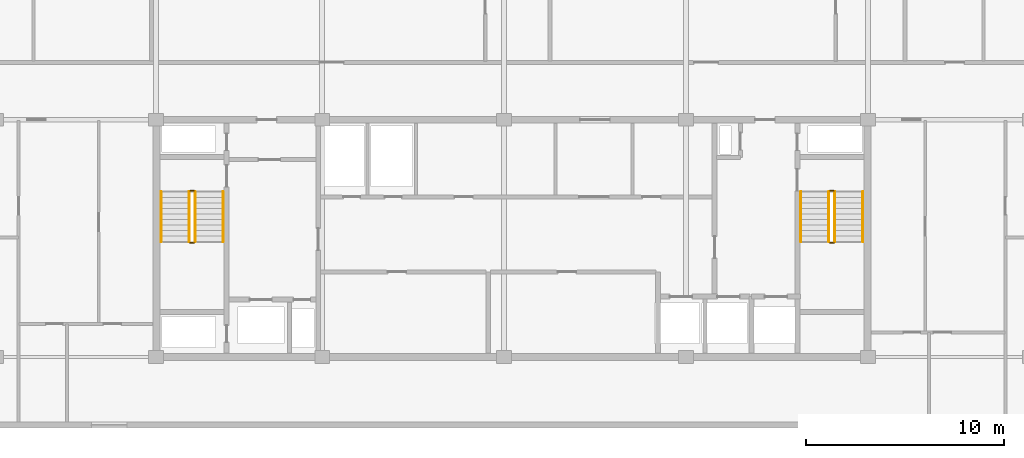
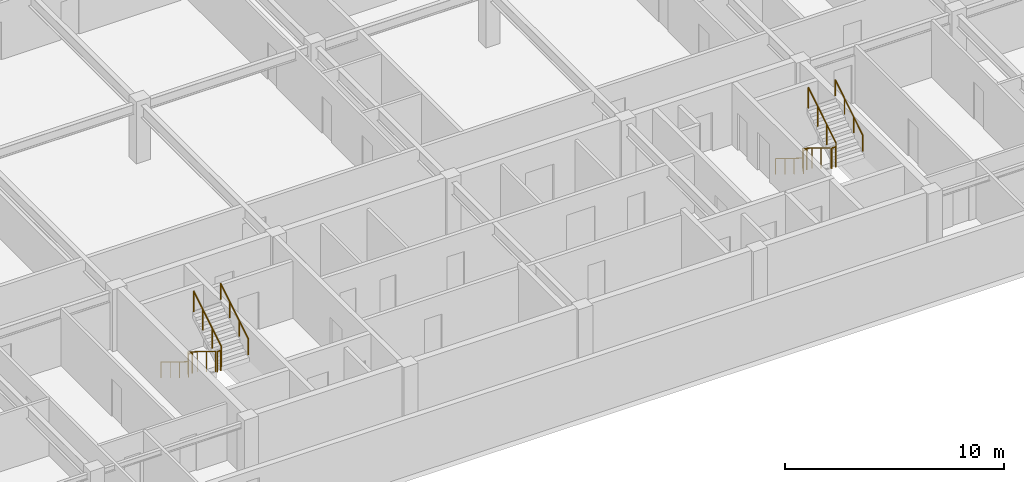
# One storey, part 9 of 10: 12 railings.
"""IFC4 building model written with IfcOpenShell, lengths in metres."""

from ifc_helpers import new_model, si_unit, direction, frame, origin, origin_2d, place, context, subcontext, project, spatial, circle, extrude, material, type_object, element, save


model = new_model("IFC4")

# Units and contexts
model_context = context("Model", 3, precision=1e-05, world=origin(), true_north=direction((0.0, 1.0)))
body_context = subcontext(model_context, "Body", "Model", "MODEL_VIEW")
ifc_project = project(units=[si_unit("LENGTHUNIT", "METRE"), si_unit("AREAUNIT", "SQUARE_METRE"), si_unit("VOLUMEUNIT", "CUBIC_METRE"), si_unit("PLANEANGLEUNIT", "RADIAN"), si_unit("MASSUNIT", "GRAM", prefix="KILO")], contexts=[model_context])

# Site, building, storey
site_placement = place(None, origin())
site = spatial("IfcSite", under=ifc_project, at=site_placement, CompositionType="ELEMENT")
building_placement = place(site_placement, origin())
building = spatial("IfcBuilding", under=site, at=building_placement, Name="Korimba Cascade Residences", CompositionType="ELEMENT")
storey_placement = place(building_placement, frame((0.0, 0.0, 239.0)))
storey = spatial("IfcBuildingStorey", under=building, at=storey_placement, Name="L69", CompositionType="ELEMENT", Elevation=239.0)

# Railings
ifc_material_1 = material(Name="Painted Steel Stairwell Guardrail", Category="steel")
railing_type_1 = type_object("IfcRailingType", Name="RLG-ST-GD1150", PredefinedType="GUARDRAIL", material=ifc_material_1)
railing_1_placement = place(storey_placement, frame((77.77001953125, 63.550048828125, 0.172607421875)))
element("IfcRailing", 1, at=railing_1_placement, inside=storey, type_object=railing_type_1, Name="L69 ST-W1 stair guard 1", PredefinedType="GUARDRAIL", context=body_context, shape_type="SweptSolid", body=[
    extrude(circle(Radius=0.02392578125, at=origin_2d()), frame((0.0, 0.0, 1.1259765625), z_axis=(0.0, -0.851400495292, 0.524516154772), x_axis=(1.0, 0.0, 0.0)), (0.0, 0.0, 1.0), 2.9599609375),
    extrude(circle(Radius=0.02099609375, at=origin_2d()), origin(), (0.0, 0.0, 1.0), 1.101806640625),
    extrude(circle(Radius=0.02099609375, at=origin_2d()), frame((0.0, -0.840087890625, 0.517578125)), (0.0, 0.0, 1.0), 1.101806640625),
    extrude(circle(Radius=0.02099609375, at=origin_2d()), frame((0.0, -1.679931640625, 1.034912109375)), (0.0, 0.0, 1.0), 1.101806640625),
    extrude(circle(Radius=0.02099609375, at=origin_2d()), frame((0.0, -2.52001953125, 1.552490234375)), (0.0, 0.0, 1.0), 1.101806640625),
])
railing_2_placement = place(storey_placement, frame((77.820068359375, 60.97998046875, 1.72509765625)))
element("IfcRailing", 2, at=railing_2_placement, inside=storey, type_object=railing_type_1, Name="L69 ST-W1 stair guard 2", PredefinedType="GUARDRAIL", context=body_context, shape_type="SweptSolid", body=[
    extrude(circle(Radius=0.02392578125, at=origin_2d()), frame((0.0, 0.0, 1.1259765625), z_axis=(1.0, 0.0, 0.0), x_axis=(0.0, 1.0, 0.0)), (0.0, 0.0, 1.0), 0.199951171875),
    extrude(circle(Radius=0.02099609375, at=origin_2d()), origin(), (0.0, 0.0, 1.0), 1.101806640625),
    extrude(circle(Radius=0.02099609375, at=origin_2d()), frame((0.199951171875, 0.0, 0.0)), (0.0, 0.0, 1.0), 1.101806640625),
])
railing_3_placement = place(storey_placement, frame((78.070068359375, 61.030029296875, 1.8974609375)))
element("IfcRailing", 3, at=railing_3_placement, inside=storey, type_object=railing_type_1, Name="L69 ST-W1 stair guard 3", PredefinedType="GUARDRAIL", context=body_context, shape_type="SweptSolid", body=[
    extrude(circle(Radius=0.02392578125, at=origin_2d()), frame((0.0, 0.0, 1.1259765625), z_axis=(0.0, 0.851400495292, 0.524516154772), x_axis=(-1.0, 0.0, 0.0)), (0.0, 0.0, 1.0), 2.9599609375),
    extrude(circle(Radius=0.02099609375, at=origin_2d()), origin(), (0.0, 0.0, 1.0), 1.101806640625),
    extrude(circle(Radius=0.02099609375, at=origin_2d()), frame((0.0, 0.840087890625, 0.517578125)), (0.0, 0.0, 1.0), 1.101806640625),
    extrude(circle(Radius=0.02099609375, at=origin_2d()), frame((0.0, 1.679931640625, 1.034912109375)), (0.0, 0.0, 1.0), 1.101806640625),
    extrude(circle(Radius=0.02099609375, at=origin_2d()), frame((0.0, 2.52001953125, 1.552490234375)), (0.0, 0.0, 1.0), 1.101806640625),
])
railing_4_placement = place(storey_placement, frame((77.820068359375, 63.60009765625, 0.0)))
element("IfcRailing", 4, at=railing_4_placement, inside=storey, type_object=railing_type_1, Name="L69 ST-W1 stair guard 4", PredefinedType="GUARDRAIL", context=body_context, shape_type="SweptSolid", body=[
    extrude(circle(Radius=0.02392578125, at=origin_2d()), frame((0.0, 0.0, 1.1259765625), z_axis=(1.0, 0.0, 0.0), x_axis=(0.0, 1.0, 0.0)), (0.0, 0.0, 1.0), 0.199951171875),
    extrude(circle(Radius=0.02099609375, at=origin_2d()), origin(), (0.0, 0.0, 1.0), 1.101806640625),
    extrude(circle(Radius=0.02099609375, at=origin_2d()), frame((0.199951171875, 0.0, 0.0)), (0.0, 0.0, 1.0), 1.101806640625),
])
railing_5_placement = place(storey_placement, frame((110.1298828125, 63.550048828125, 0.172607421875)))
element("IfcRailing", 5, at=railing_5_placement, inside=storey, type_object=railing_type_1, Name="L69 ST-W2 stair guard 1", PredefinedType="GUARDRAIL", context=body_context, shape_type="SweptSolid", body=[
    extrude(circle(Radius=0.02392578125, at=origin_2d()), frame((0.0, 0.0, 1.1259765625), z_axis=(0.0, -0.851400495292, 0.524516154772), x_axis=(1.0, 0.0, 0.0)), (0.0, 0.0, 1.0), 2.9599609375),
    extrude(circle(Radius=0.02099609375, at=origin_2d()), origin(), (0.0, 0.0, 1.0), 1.101806640625),
    extrude(circle(Radius=0.02099609375, at=origin_2d()), frame((0.0, -0.840087890625, 0.517578125)), (0.0, 0.0, 1.0), 1.101806640625),
    extrude(circle(Radius=0.02099609375, at=origin_2d()), frame((0.0, -1.679931640625, 1.034912109375)), (0.0, 0.0, 1.0), 1.101806640625),
    extrude(circle(Radius=0.02099609375, at=origin_2d()), frame((0.0, -2.52001953125, 1.552490234375)), (0.0, 0.0, 1.0), 1.101806640625),
])
railing_6_placement = place(storey_placement, frame((110.179931640625, 60.97998046875, 1.72509765625)))
element("IfcRailing", 6, at=railing_6_placement, inside=storey, type_object=railing_type_1, Name="L69 ST-W2 stair guard 2", PredefinedType="GUARDRAIL", context=body_context, shape_type="SweptSolid", body=[
    extrude(circle(Radius=0.02392578125, at=origin_2d()), frame((0.0, 0.0, 1.1259765625), z_axis=(1.0, 0.0, 0.0), x_axis=(0.0, 1.0, 0.0)), (0.0, 0.0, 1.0), 0.199951171875),
    extrude(circle(Radius=0.02099609375, at=origin_2d()), origin(), (0.0, 0.0, 1.0), 1.101806640625),
    extrude(circle(Radius=0.02099609375, at=origin_2d()), frame((0.199951171875, 0.0, 0.0)), (0.0, 0.0, 1.0), 1.101806640625),
])
railing_7_placement = place(storey_placement, frame((110.429931640625, 61.030029296875, 1.8974609375)))
element("IfcRailing", 7, at=railing_7_placement, inside=storey, type_object=railing_type_1, Name="L69 ST-W2 stair guard 3", PredefinedType="GUARDRAIL", context=body_context, shape_type="SweptSolid", body=[
    extrude(circle(Radius=0.02392578125, at=origin_2d()), frame((0.0, 0.0, 1.1259765625), z_axis=(0.0, 0.851400495292, 0.524516154772), x_axis=(-1.0, 0.0, 0.0)), (0.0, 0.0, 1.0), 2.9599609375),
    extrude(circle(Radius=0.02099609375, at=origin_2d()), origin(), (0.0, 0.0, 1.0), 1.101806640625),
    extrude(circle(Radius=0.02099609375, at=origin_2d()), frame((0.0, 0.840087890625, 0.517578125)), (0.0, 0.0, 1.0), 1.101806640625),
    extrude(circle(Radius=0.02099609375, at=origin_2d()), frame((0.0, 1.679931640625, 1.034912109375)), (0.0, 0.0, 1.0), 1.101806640625),
    extrude(circle(Radius=0.02099609375, at=origin_2d()), frame((0.0, 2.52001953125, 1.552490234375)), (0.0, 0.0, 1.0), 1.101806640625),
])
railing_8_placement = place(storey_placement, frame((110.179931640625, 63.60009765625, 0.0)))
element("IfcRailing", 8, at=railing_8_placement, inside=storey, type_object=railing_type_1, Name="L69 ST-W2 stair guard 4", PredefinedType="GUARDRAIL", context=body_context, shape_type="SweptSolid", body=[
    extrude(circle(Radius=0.02392578125, at=origin_2d()), frame((0.0, 0.0, 1.1259765625), z_axis=(1.0, 0.0, 0.0), x_axis=(0.0, 1.0, 0.0)), (0.0, 0.0, 1.0), 0.199951171875),
    extrude(circle(Radius=0.02099609375, at=origin_2d()), origin(), (0.0, 0.0, 1.0), 1.101806640625),
    extrude(circle(Radius=0.02099609375, at=origin_2d()), frame((0.199951171875, 0.0, 0.0)), (0.0, 0.0, 1.0), 1.101806640625),
])
ifc_material_2 = material(Name="Brushed Stainless Steel Handrail", Category="steel")
railing_type_2 = type_object("IfcRailingType", Name="RLG-ST-HR900", PredefinedType="HANDRAIL", material=ifc_material_2)
railing_9_placement = place(storey_placement, frame((76.35009765625, 63.550048828125, 0.3486328125)))
element("IfcRailing", 9, at=railing_9_placement, inside=storey, type_object=railing_type_2, Name="L69 ST-W1 stair handrail 1", PredefinedType="HANDRAIL", context=body_context, shape_type="SweptSolid", body=[
    extrude(circle(Radius=0.02392578125, at=origin_2d()), frame((0.0, 0.0, 0.8759765625), z_axis=(0.0, -0.851400495292, 0.524516154772), x_axis=(1.0, 0.0, 0.0)), (0.0, 0.0, 1.0), 2.9599609375),
    extrude(circle(Radius=0.02099609375, at=origin_2d()), origin(), (0.0, 0.0, 1.0), 0.851806640625),
    extrude(circle(Radius=0.02099609375, at=origin_2d()), frame((0.0, -0.840087890625, 0.517578125)), (0.0, 0.0, 1.0), 0.851806640625),
    extrude(circle(Radius=0.02099609375, at=origin_2d()), frame((0.0, -1.679931640625, 1.034912109375)), (0.0, 0.0, 1.0), 0.851806640625),
    extrude(circle(Radius=0.02099609375, at=origin_2d()), frame((0.0, -2.52001953125, 1.552490234375)), (0.0, 0.0, 1.0), 0.851806640625),
])
railing_10_placement = place(storey_placement, frame((79.489990234375, 61.030029296875, 2.073486328125)))
element("IfcRailing", 10, at=railing_10_placement, inside=storey, type_object=railing_type_2, Name="L69 ST-W1 stair handrail 2", PredefinedType="HANDRAIL", context=body_context, shape_type="SweptSolid", body=[
    extrude(circle(Radius=0.02392578125, at=origin_2d()), frame((0.0, 0.0, 0.8759765625), z_axis=(0.0, 0.851400495292, 0.524516154772), x_axis=(-1.0, 0.0, 0.0)), (0.0, 0.0, 1.0), 2.9599609375),
    extrude(circle(Radius=0.02099609375, at=origin_2d()), origin(), (0.0, 0.0, 1.0), 0.851806640625),
    extrude(circle(Radius=0.02099609375, at=origin_2d()), frame((0.0, 0.840087890625, 0.517578125)), (0.0, 0.0, 1.0), 0.851806640625),
    extrude(circle(Radius=0.02099609375, at=origin_2d()), frame((0.0, 1.679931640625, 1.034912109375)), (0.0, 0.0, 1.0), 0.851806640625),
    extrude(circle(Radius=0.02099609375, at=origin_2d()), frame((0.0, 2.52001953125, 1.552490234375)), (0.0, 0.0, 1.0), 0.851806640625),
])
railing_11_placement = place(storey_placement, frame((108.7099609375, 63.550048828125, 0.3486328125)))
element("IfcRailing", 11, at=railing_11_placement, inside=storey, type_object=railing_type_2, Name="L69 ST-W2 stair handrail 1", PredefinedType="HANDRAIL", context=body_context, shape_type="SweptSolid", body=[
    extrude(circle(Radius=0.02392578125, at=origin_2d()), frame((0.0, 0.0, 0.8759765625), z_axis=(0.0, -0.851400495292, 0.524516154772), x_axis=(1.0, 0.0, 0.0)), (0.0, 0.0, 1.0), 2.9599609375),
    extrude(circle(Radius=0.02099609375, at=origin_2d()), origin(), (0.0, 0.0, 1.0), 0.851806640625),
    extrude(circle(Radius=0.02099609375, at=origin_2d()), frame((0.0, -0.840087890625, 0.517578125)), (0.0, 0.0, 1.0), 0.851806640625),
    extrude(circle(Radius=0.02099609375, at=origin_2d()), frame((0.0, -1.679931640625, 1.034912109375)), (0.0, 0.0, 1.0), 0.851806640625),
    extrude(circle(Radius=0.02099609375, at=origin_2d()), frame((0.0, -2.52001953125, 1.552490234375)), (0.0, 0.0, 1.0), 0.851806640625),
])
railing_12_placement = place(storey_placement, frame((111.85009765625, 61.030029296875, 2.073486328125)))
element("IfcRailing", 12, at=railing_12_placement, inside=storey, type_object=railing_type_2, Name="L69 ST-W2 stair handrail 2", PredefinedType="HANDRAIL", context=body_context, shape_type="SweptSolid", body=[
    extrude(circle(Radius=0.02392578125, at=origin_2d()), frame((0.0, 0.0, 0.8759765625), z_axis=(0.0, 0.851400495292, 0.524516154772), x_axis=(-1.0, 0.0, 0.0)), (0.0, 0.0, 1.0), 2.9599609375),
    extrude(circle(Radius=0.02099609375, at=origin_2d()), origin(), (0.0, 0.0, 1.0), 0.851806640625),
    extrude(circle(Radius=0.02099609375, at=origin_2d()), frame((0.0, 0.840087890625, 0.517578125)), (0.0, 0.0, 1.0), 0.851806640625),
    extrude(circle(Radius=0.02099609375, at=origin_2d()), frame((0.0, 1.679931640625, 1.034912109375)), (0.0, 0.0, 1.0), 0.851806640625),
    extrude(circle(Radius=0.02099609375, at=origin_2d()), frame((0.0, 2.52001953125, 1.552490234375)), (0.0, 0.0, 1.0), 0.851806640625),
])

save(model, "model.ifc")
